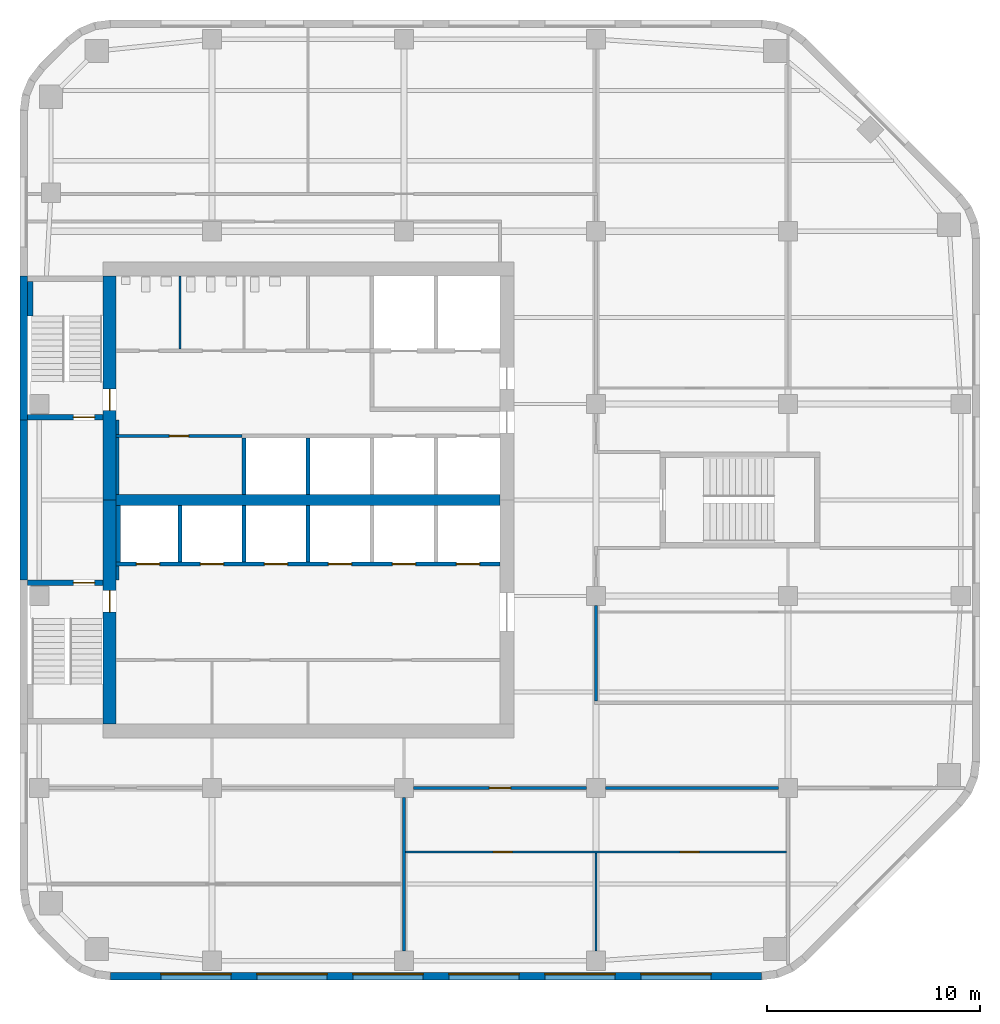
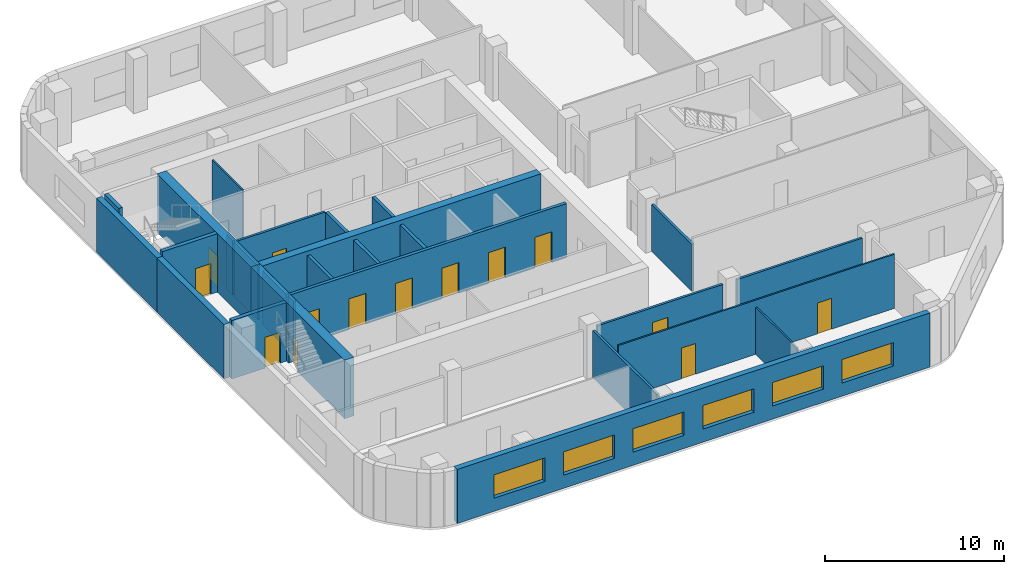
# One storey, part 3 of 8: 27 walls, 14 doors, 6 windows, 20 openings.
"""IFC4 building model written with IfcOpenShell, lengths in metres."""

from ifc_helpers import new_model, si_unit, direction, frame, frame_2d, origin, place, context, subcontext, project, spatial, rectangle, extrude, material, layer, layer_set, type_object, element, fill, save


model = new_model("IFC4")

# Units and contexts
model_context = context("Model", 3, precision=1e-05, world=origin(), true_north=direction((0.0, 1.0)))
body_context = subcontext(model_context, "Body", "Model", "MODEL_VIEW")
ifc_project = project(units=[si_unit("LENGTHUNIT", "METRE"), si_unit("AREAUNIT", "SQUARE_METRE"), si_unit("VOLUMEUNIT", "CUBIC_METRE"), si_unit("PLANEANGLEUNIT", "RADIAN"), si_unit("MASSUNIT", "GRAM", prefix="KILO")], contexts=[model_context])

# Site, building, storey
site_placement = place(None, origin())
site = spatial("IfcSite", under=ifc_project, at=site_placement, CompositionType="ELEMENT")
building_placement = place(site_placement, origin())
building = spatial("IfcBuilding", under=site, at=building_placement, Name="Cinnabar Reach Civic Tower", CompositionType="ELEMENT")
storey_placement = place(building_placement, frame((0.0, 0.0, 189.0)))
storey = spatial("IfcBuildingStorey", under=building, at=storey_placement, Name="L45", CompositionType="ELEMENT", Elevation=189.0)

# Wall, openings, windows
ifc_material_1 = material(Name="Facing brick with insulated backing", Category="masonry")
ifc_layer_1 = layer(ifc_material_1, 0.36)
ifc_layer_set_1 = layer_set([ifc_layer_1], Name="Brick pier and spandrel wall")
wall_type_1 = type_object("IfcWallType", Name="Brick pier and spandrel wall", PredefinedType="STANDARD", material=ifc_layer_set_1)
wall_1_placement = place(storey_placement, frame((4.2426, 9.18, 0.0), z_axis=(0.0, 0.0, 1.0), x_axis=(1.0, 0.0, 0.0)))
wall_1 = element("IfcWall", 1, at=wall_1_placement, inside=storey, type_object=wall_type_1, Name="Brick facade wall", PredefinedType="STANDARD", context=body_context, shape_type="SweptSolid", body=[
    extrude(rectangle(XDim=30.5148, YDim=0.36, at=frame_2d((15.2574, 0.0))), origin(), (0.0, 0.0, 1.0), 3.7),
])
opening_1_placement = place(wall_1_placement, frame((2.3574, 0.0, 0.9)))
opening_1 = element("IfcOpeningElement", 2, at=opening_1_placement, cuts=wall_1, Name="Opening W1921", PredefinedType="OPENING", context=body_context, shape_type="SweptSolid", body=[
    extrude(rectangle(XDim=3.3, YDim=1.6, at=frame_2d((1.65, 0.8))), frame((0.0, 0.19, 0.0), z_axis=(0.0, -1.0, 0.0), x_axis=(1.0, 0.0, 0.0)), (0.0, 0.0, 1.0), 0.38),
])
opening_2_placement = place(wall_1_placement, frame((6.8574, 0.0, 0.9)))
opening_2 = element("IfcOpeningElement", 3, at=opening_2_placement, cuts=wall_1, Name="Opening W1922", PredefinedType="OPENING", context=body_context, shape_type="SweptSolid", body=[
    extrude(rectangle(XDim=3.3, YDim=1.6, at=frame_2d((1.65, 0.8))), frame((0.0, 0.19, 0.0), z_axis=(0.0, -1.0, 0.0), x_axis=(1.0, 0.0, 0.0)), (0.0, 0.0, 1.0), 0.38),
])
opening_3_placement = place(wall_1_placement, frame((11.3574, 0.0, 0.9)))
opening_3 = element("IfcOpeningElement", 4, at=opening_3_placement, cuts=wall_1, Name="Opening W1923", PredefinedType="OPENING", context=body_context, shape_type="SweptSolid", body=[
    extrude(rectangle(XDim=3.3, YDim=1.6, at=frame_2d((1.65, 0.8))), frame((0.0, 0.19, 0.0), z_axis=(0.0, -1.0, 0.0), x_axis=(1.0, 0.0, 0.0)), (0.0, 0.0, 1.0), 0.38),
])
opening_4_placement = place(wall_1_placement, frame((15.8574, 0.0, 0.9)))
opening_4 = element("IfcOpeningElement", 5, at=opening_4_placement, cuts=wall_1, Name="Opening W1924", PredefinedType="OPENING", context=body_context, shape_type="SweptSolid", body=[
    extrude(rectangle(XDim=3.3, YDim=1.6, at=frame_2d((1.65, 0.8))), frame((0.0, 0.19, 0.0), z_axis=(0.0, -1.0, 0.0), x_axis=(1.0, 0.0, 0.0)), (0.0, 0.0, 1.0), 0.38),
])
opening_5_placement = place(wall_1_placement, frame((20.3574, 0.0, 0.9)))
opening_5 = element("IfcOpeningElement", 6, at=opening_5_placement, cuts=wall_1, Name="Opening W1925", PredefinedType="OPENING", context=body_context, shape_type="SweptSolid", body=[
    extrude(rectangle(XDim=3.3, YDim=1.6, at=frame_2d((1.65, 0.8))), frame((0.0, 0.19, 0.0), z_axis=(0.0, -1.0, 0.0), x_axis=(1.0, 0.0, 0.0)), (0.0, 0.0, 1.0), 0.38),
])
opening_6_placement = place(wall_1_placement, frame((24.8574, 0.0, 0.9)))
opening_6 = element("IfcOpeningElement", 7, at=opening_6_placement, cuts=wall_1, Name="Opening W1926", PredefinedType="OPENING", context=body_context, shape_type="SweptSolid", body=[
    extrude(rectangle(XDim=3.3, YDim=1.6, at=frame_2d((1.65, 0.8))), frame((0.0, 0.19, 0.0), z_axis=(0.0, -1.0, 0.0), x_axis=(1.0, 0.0, 0.0)), (0.0, 0.0, 1.0), 0.38),
])
ifc_material_2 = material(Name="Clear double glazing in aluminium frame", Category="aluminium")
window_type = type_object("IfcWindowType", Name="Deep-set window A", PartitioningType="SINGLE_PANEL", PredefinedType="WINDOW", material=ifc_material_2)
window_1_placement = place(opening_1_placement, origin())
window_1 = element("IfcWindow", 8, at=window_1_placement, inside=storey, type_object=window_type, Name="Window south face", OverallHeight=1.6, OverallWidth=3.3, PartitioningType="SINGLE_PANEL", PredefinedType="WINDOW", context=body_context, shape_type="SweptSolid", body=[
    extrude(rectangle(XDim=3.3, YDim=1.6, at=frame_2d((1.65, 0.8))), frame((0.0, 0.13, 0.0), z_axis=(0.0, -1.0, 0.0), x_axis=(1.0, 0.0, 0.0)), (0.0, 0.0, 1.0), 0.06),
])
fill(opening_1, window_1)
window_2_placement = place(opening_2_placement, origin())
window_2 = element("IfcWindow", 9, at=window_2_placement, inside=storey, type_object=window_type, Name="Window south face", OverallHeight=1.6, OverallWidth=3.3, PartitioningType="SINGLE_PANEL", PredefinedType="WINDOW", context=body_context, shape_type="SweptSolid", body=[
    extrude(rectangle(XDim=3.3, YDim=1.6, at=frame_2d((1.65, 0.8))), frame((0.0, 0.13, 0.0), z_axis=(0.0, -1.0, 0.0), x_axis=(1.0, 0.0, 0.0)), (0.0, 0.0, 1.0), 0.06),
])
fill(opening_2, window_2)
window_3_placement = place(opening_3_placement, origin())
window_3 = element("IfcWindow", 10, at=window_3_placement, inside=storey, type_object=window_type, Name="Window south face", OverallHeight=1.6, OverallWidth=3.3, PartitioningType="SINGLE_PANEL", PredefinedType="WINDOW", context=body_context, shape_type="SweptSolid", body=[
    extrude(rectangle(XDim=3.3, YDim=1.6, at=frame_2d((1.65, 0.8))), frame((0.0, 0.13, 0.0), z_axis=(0.0, -1.0, 0.0), x_axis=(1.0, 0.0, 0.0)), (0.0, 0.0, 1.0), 0.06),
])
fill(opening_3, window_3)
window_4_placement = place(opening_4_placement, origin())
window_4 = element("IfcWindow", 11, at=window_4_placement, inside=storey, type_object=window_type, Name="Window south face", OverallHeight=1.6, OverallWidth=3.3, PartitioningType="SINGLE_PANEL", PredefinedType="WINDOW", context=body_context, shape_type="SweptSolid", body=[
    extrude(rectangle(XDim=3.3, YDim=1.6, at=frame_2d((1.65, 0.8))), frame((0.0, 0.13, 0.0), z_axis=(0.0, -1.0, 0.0), x_axis=(1.0, 0.0, 0.0)), (0.0, 0.0, 1.0), 0.06),
])
fill(opening_4, window_4)
window_5_placement = place(opening_5_placement, origin())
window_5 = element("IfcWindow", 12, at=window_5_placement, inside=storey, type_object=window_type, Name="Window south face", OverallHeight=1.6, OverallWidth=3.3, PartitioningType="SINGLE_PANEL", PredefinedType="WINDOW", context=body_context, shape_type="SweptSolid", body=[
    extrude(rectangle(XDim=3.3, YDim=1.6, at=frame_2d((1.65, 0.8))), frame((0.0, 0.13, 0.0), z_axis=(0.0, -1.0, 0.0), x_axis=(1.0, 0.0, 0.0)), (0.0, 0.0, 1.0), 0.06),
])
fill(opening_5, window_5)
window_6_placement = place(opening_6_placement, origin())
window_6 = element("IfcWindow", 13, at=window_6_placement, inside=storey, type_object=window_type, Name="Window south face", OverallHeight=1.6, OverallWidth=3.3, PartitioningType="SINGLE_PANEL", PredefinedType="WINDOW", context=body_context, shape_type="SweptSolid", body=[
    extrude(rectangle(XDim=3.3, YDim=1.6, at=frame_2d((1.65, 0.8))), frame((0.0, 0.13, 0.0), z_axis=(0.0, -1.0, 0.0), x_axis=(1.0, 0.0, 0.0)), (0.0, 0.0, 1.0), 0.06),
])
fill(opening_6, window_6)

# Walls
wall_2_placement = place(storey_placement, frame((0.18, 42.0, 0.0), z_axis=(0.0, 0.0, 1.0), x_axis=(0.0, -1.0, 0.0)))
element("IfcWall", 14, at=wall_2_placement, inside=storey, type_object=wall_type_1, Name="Brick facade wall", PredefinedType="STANDARD", context=body_context, shape_type="SweptSolid", body=[
    extrude(rectangle(XDim=6.75, YDim=0.36, at=frame_2d((3.375, 0.0))), origin(), (0.0, 0.0, 1.0), 3.7),
])
wall_3_placement = place(storey_placement, frame((0.18, 35.25, 0.0), z_axis=(0.0, 0.0, 1.0), x_axis=(0.0, -1.0, 0.0)))
element("IfcWall", 15, at=wall_3_placement, inside=storey, type_object=wall_type_1, Name="Brick facade wall", PredefinedType="STANDARD", context=body_context, shape_type="SweptSolid", body=[
    extrude(rectangle(XDim=7.5, YDim=0.36, at=frame_2d((3.75, 0.0))), origin(), (0.0, 0.0, 1.0), 3.7),
])
ifc_material_3 = material(Name="Concrete C60", Category="concrete")
ifc_layer_2 = layer(ifc_material_3, 0.5)
ifc_layer_set_2 = layer_set([ifc_layer_2], Name="Core wall 500 EI 180")
wall_type_2 = type_object("IfcWallType", Name="Core wall 500 EI 180", PredefinedType="SOLIDWALL", material=ifc_layer_set_2)
wall_4_placement = place(storey_placement, frame((4.5, 31.5, 0.0), z_axis=(0.0, 0.0, 1.0), x_axis=(1.0, 0.0, 0.0)))
element("IfcWall", 16, at=wall_4_placement, inside=storey, type_object=wall_type_2, Name="Core spine wall T1 L45", PredefinedType="SOLIDWALL", context=body_context, shape_type="SweptSolid", body=[
    extrude(rectangle(XDim=18.0, YDim=0.5, at=frame_2d((9.0, 0.0))), origin(), (0.0, 0.0, 1.0), 4.0),
])

# Wall, opening, door
ifc_material_4 = material(Name="Concrete C70", Category="concrete")
ifc_layer_3 = layer(ifc_material_4, 0.6)
ifc_layer_set_3 = layer_set([ifc_layer_3], Name="Core wall 600 EI 180")
wall_type_3 = type_object("IfcWallType", Name="Core wall 600 EI 180", PredefinedType="SOLIDWALL", material=ifc_layer_set_3)
wall_5_placement = place(storey_placement, frame((4.2, 42.0, 0.0), z_axis=(0.0, 0.0, 1.0), x_axis=(0.0, -1.0, 0.0)))
wall_5 = element("IfcWall", 17, at=wall_5_placement, inside=storey, type_object=wall_type_3, Name="Core wall T1 L45 W", PredefinedType="SOLIDWALL", context=body_context, shape_type="SweptSolid", body=[
    extrude(rectangle(XDim=10.5, YDim=0.6, at=frame_2d((5.25, 0.0))), origin(), (0.0, 0.0, 1.0), 4.0),
])
opening_7_placement = place(wall_5_placement, frame((5.3, 0.0, 0.0)))
opening_7 = element("IfcOpeningElement", 18, at=opening_7_placement, cuts=wall_5, Name="Opening D4835", PredefinedType="OPENING", context=body_context, shape_type="SweptSolid", body=[
    extrude(rectangle(XDim=1.0, YDim=2.1, at=frame_2d((0.5, 1.05))), frame((0.0, 0.31, 0.0), z_axis=(0.0, -1.0, 0.0), x_axis=(1.0, 0.0, 0.0)), (0.0, 0.0, 1.0), 0.62),
])
ifc_material_5 = material(Name="Timber door leaf in steel frame", Category="steel")
door_type_1 = type_object("IfcDoorType", Name="Stair door 1000 x 2100 T1", OperationType="SINGLE_SWING_LEFT", PredefinedType="DOOR", material=ifc_material_5)
door_1_placement = place(opening_7_placement, frame((1.0, 0.0, 0.0), z_axis=(0.0, 0.0, 1.0), x_axis=(-1.0, 0.0, 0.0)))
door_1 = element("IfcDoor", 19, at=door_1_placement, inside=storey, type_object=door_type_1, Name="Door D4835", OperationType="SINGLE_SWING_LEFT", OverallHeight=2.1, OverallWidth=1.0, PredefinedType="DOOR", context=body_context, shape_type="SweptSolid", body=[
    extrude(rectangle(XDim=1.0, YDim=2.1, at=frame_2d((0.5, 1.05))), frame((0.0, 0.025, 0.0), z_axis=(0.0, -1.0, 0.0), x_axis=(1.0, 0.0, 0.0)), (0.0, 0.0, 1.0), 0.05),
])
fill(opening_7, door_1)

wall_6_placement = place(storey_placement, frame((4.2, 31.5, 0.0), z_axis=(0.0, 0.0, 1.0), x_axis=(0.0, -1.0, 0.0)))
wall_6 = element("IfcWall", 20, at=wall_6_placement, inside=storey, type_object=wall_type_3, Name="Core wall T1 L45 W2", PredefinedType="SOLIDWALL", context=body_context, shape_type="SweptSolid", body=[
    extrude(rectangle(XDim=10.5, YDim=0.6, at=frame_2d((5.25, 0.0))), origin(), (0.0, 0.0, 1.0), 4.0),
])
opening_8_placement = place(wall_6_placement, frame((4.25, 0.0, 0.0)))
opening_8 = element("IfcOpeningElement", 21, at=opening_8_placement, cuts=wall_6, Name="Opening D4833", PredefinedType="OPENING", context=body_context, shape_type="SweptSolid", body=[
    extrude(rectangle(XDim=1.0, YDim=2.1, at=frame_2d((0.5, 1.05))), frame((0.0, 0.31, 0.0), z_axis=(0.0, -1.0, 0.0), x_axis=(1.0, 0.0, 0.0)), (0.0, 0.0, 1.0), 0.62),
])
door_2_placement = place(opening_8_placement, frame((1.0, 0.0, 0.0), z_axis=(0.0, 0.0, 1.0), x_axis=(-1.0, 0.0, 0.0)))
door_2 = element("IfcDoor", 22, at=door_2_placement, inside=storey, type_object=door_type_1, Name="Door D4833", OperationType="SINGLE_SWING_RIGHT", OverallHeight=2.1, OverallWidth=1.0, PredefinedType="DOOR", context=body_context, shape_type="SweptSolid", body=[
    extrude(rectangle(XDim=1.0, YDim=2.1, at=frame_2d((0.5, 1.05))), frame((0.0, 0.025, 0.0), z_axis=(0.0, -1.0, 0.0), x_axis=(1.0, 0.0, 0.0)), (0.0, 0.0, 1.0), 0.05),
])
fill(opening_8, door_2)

ifc_material_6 = material(Name="Gypsum board on steel studs, double layer", Category="steel")
ifc_layer_4 = layer(ifc_material_6, 0.15)
ifc_layer_set_4 = layer_set([ifc_layer_4], Name="Corridor wall 150 T1")
wall_type_4 = type_object("IfcWallType", Name="Corridor wall 150 T1", PredefinedType="PARTITIONING", material=ifc_layer_set_4)
wall_7_placement = place(storey_placement, frame((18.45, 18.0, 0.0), z_axis=(0.0, 0.0, 1.0), x_axis=(1.0, 0.0, 0.0)))
wall_7 = element("IfcWall", 23, at=wall_7_placement, inside=storey, type_object=wall_type_4, Name="Corridor wall 20", PredefinedType="PARTITIONING", context=body_context, shape_type="SweptSolid", body=[
    extrude(rectangle(XDim=8.1, YDim=0.15, at=frame_2d((4.05, 0.0))), origin(), (0.0, 0.0, 1.0), 3.112),
])
opening_9_placement = place(wall_7_placement, frame((3.55, 0.0, 0.0)))
opening_9 = element("IfcOpeningElement", 24, at=opening_9_placement, cuts=wall_7, Name="Opening D4866", PredefinedType="OPENING", context=body_context, shape_type="SweptSolid", body=[
    extrude(rectangle(XDim=1.0, YDim=2.1, at=frame_2d((0.5, 1.05))), frame((0.0, 0.085, 0.0), z_axis=(0.0, -1.0, 0.0), x_axis=(1.0, 0.0, 0.0)), (0.0, 0.0, 1.0), 0.17),
])
door_type_2 = type_object("IfcDoorType", Name="Tenancy entrance door 1000 x 2100 T1", OperationType="SINGLE_SWING_LEFT", PredefinedType="DOOR", material=ifc_material_5)
door_3_placement = place(opening_9_placement, frame((1.0, 0.0, 0.0), z_axis=(0.0, 0.0, 1.0), x_axis=(-1.0, 0.0, 0.0)))
door_3 = element("IfcDoor", 25, at=door_3_placement, inside=storey, type_object=door_type_2, Name="Door D4866", OperationType="SINGLE_SWING_RIGHT", OverallHeight=2.1, OverallWidth=1.0, PredefinedType="DOOR", context=body_context, shape_type="SweptSolid", body=[
    extrude(rectangle(XDim=1.0, YDim=2.1, at=frame_2d((0.5, 1.05))), frame((0.0, 0.025, 0.0), z_axis=(0.0, -1.0, 0.0), x_axis=(1.0, 0.0, 0.0)), (0.0, 0.0, 1.0), 0.05),
])
fill(opening_9, door_3)

# Walls
wall_8_placement = place(storey_placement, frame((27.45, 18.0, 0.0), z_axis=(0.0, 0.0, 1.0), x_axis=(1.0, 0.0, 0.0)))
element("IfcWall", 26, at=wall_8_placement, inside=storey, type_object=wall_type_4, Name="Corridor wall 21", PredefinedType="PARTITIONING", context=body_context, shape_type="SweptSolid", body=[
    extrude(rectangle(XDim=8.1, YDim=0.15, at=frame_2d((4.05, 0.0))), origin(), (0.0, 0.0, 1.0), 3.112),
])
wall_9_placement = place(storey_placement, frame((27.0, 22.075, 0.0), z_axis=(0.0, 0.0, 1.0), x_axis=(0.0, 1.0, 0.0)))
element("IfcWall", 27, at=wall_9_placement, inside=storey, type_object=wall_type_4, Name="Corridor wall 32", PredefinedType="PARTITIONING", context=body_context, shape_type="SweptSolid", body=[
    extrude(rectangle(XDim=4.475, YDim=0.15, at=frame_2d((2.2375, 0.0))), origin(), (0.0, 0.0, 1.0), 3.212),
])

# Wall, opening, door
wall_10_placement = place(storey_placement, frame((4.5, 34.5, 0.0), z_axis=(0.0, 0.0, 1.0), x_axis=(1.0, 0.0, 0.0)))
wall_10 = element("IfcWall", 28, at=wall_10_placement, inside=storey, type_object=wall_type_4, Name="Corridor wall 34", PredefinedType="PARTITIONING", context=body_context, shape_type="SweptSolid", body=[
    extrude(rectangle(XDim=5.9, YDim=0.15, at=frame_2d((2.95, 0.0))), origin(), (0.0, 0.0, 1.0), 3.7),
])
opening_10_placement = place(wall_10_placement, frame((2.5, 0.0, 0.0)))
opening_10 = element("IfcOpeningElement", 29, at=opening_10_placement, cuts=wall_10, Name="Opening D4854", PredefinedType="OPENING", context=body_context, shape_type="SweptSolid", body=[
    extrude(rectangle(XDim=0.9, YDim=2.1, at=frame_2d((0.45, 1.05))), frame((0.0, 0.085, 0.0), z_axis=(0.0, -1.0, 0.0), x_axis=(1.0, 0.0, 0.0)), (0.0, 0.0, 1.0), 0.17),
])
door_type_3 = type_object("IfcDoorType", Name="Single swing door 900 x 2100 corridor T1", OperationType="SINGLE_SWING_LEFT", PredefinedType="DOOR", material=ifc_material_5)
door_4_placement = place(opening_10_placement, frame((0.9, 0.0, 0.0), z_axis=(0.0, 0.0, 1.0), x_axis=(-1.0, 0.0, 0.0)))
door_4 = element("IfcDoor", 30, at=door_4_placement, inside=storey, type_object=door_type_3, Name="Door D4854", OperationType="SINGLE_SWING_LEFT", OverallHeight=2.1, OverallWidth=0.9, PredefinedType="DOOR", context=body_context, shape_type="SweptSolid", body=[
    extrude(rectangle(XDim=0.9, YDim=2.1, at=frame_2d((0.45, 1.05))), frame((0.0, 0.025, 0.0), z_axis=(0.0, -1.0, 0.0), x_axis=(1.0, 0.0, 0.0)), (0.0, 0.0, 1.0), 0.05),
])
fill(opening_10, door_4)

# Walls
wall_11_placement = place(storey_placement, frame((4.575, 34.575, 0.0), z_axis=(0.0, 0.0, 1.0), x_axis=(0.0, 1.0, 0.0)))
element("IfcWall", 31, at=wall_11_placement, inside=storey, type_object=wall_type_4, Name="Corridor wall 35", PredefinedType="PARTITIONING", context=body_context, shape_type="SweptSolid", body=[
    extrude(rectangle(XDim=0.675, YDim=0.15, at=frame_2d((0.3375, 0.0))), origin(), (0.0, 0.0, 1.0), 3.7),
])
wall_12_placement = place(storey_placement, frame((4.575, 31.75, 0.0), z_axis=(0.0, 0.0, 1.0), x_axis=(0.0, 1.0, 0.0)))
element("IfcWall", 32, at=wall_12_placement, inside=storey, type_object=wall_type_4, Name="Corridor wall 36", PredefinedType="PARTITIONING", context=body_context, shape_type="SweptSolid", body=[
    extrude(rectangle(XDim=2.675, YDim=0.15, at=frame_2d((1.3375, 0.0))), origin(), (0.0, 0.0, 1.0), 3.7),
])
wall_13_placement = place(storey_placement, frame((4.575, 27.75, 0.0), z_axis=(0.0, 0.0, 1.0), x_axis=(0.0, 1.0, 0.0)))
element("IfcWall", 33, at=wall_13_placement, inside=storey, type_object=wall_type_4, Name="Corridor wall 40", PredefinedType="PARTITIONING", context=body_context, shape_type="SweptSolid", body=[
    extrude(rectangle(XDim=0.65, YDim=0.15, at=frame_2d((0.325, 0.0))), origin(), (0.0, 0.0, 1.0), 3.7),
])

# Wall, openings, doors
ifc_material_7 = material(Name="Blockwork", Category="masonry")
ifc_layer_5 = layer(ifc_material_7, 0.2)
ifc_layer_set_5 = layer_set([ifc_layer_5], Name="Lift shaft wall 200 T1")
wall_type_5 = type_object("IfcWallType", Name="Lift shaft wall 200 T1", PredefinedType="PARTITIONING", material=ifc_layer_set_5)
wall_14_placement = place(storey_placement, frame((4.5, 28.5, 0.0), z_axis=(0.0, 0.0, 1.0), x_axis=(1.0, 0.0, 0.0)))
wall_14 = element("IfcWall", 34, at=wall_14_placement, inside=storey, type_object=wall_type_5, Name="Lift shaft wall 4", PredefinedType="PARTITIONING", context=body_context, shape_type="SweptSolid", body=[
    extrude(rectangle(XDim=18.0, YDim=0.2, at=frame_2d((9.0, 0.0))), origin(), (0.0, 0.0, 1.0), 3.7),
])
opening_11_placement = place(wall_14_placement, frame((0.95, 0.0, 0.0)))
opening_11 = element("IfcOpeningElement", 35, at=opening_11_placement, cuts=wall_14, Name="Opening D4837", PredefinedType="OPENING", context=body_context, shape_type="SweptSolid", body=[
    extrude(rectangle(XDim=1.1, YDim=2.1, at=frame_2d((0.55, 1.05))), frame((0.0, 0.11, 0.0), z_axis=(0.0, -1.0, 0.0), x_axis=(1.0, 0.0, 0.0)), (0.0, 0.0, 1.0), 0.22),
])
opening_12_placement = place(wall_14_placement, frame((3.95, 0.0, 0.0)))
opening_12 = element("IfcOpeningElement", 36, at=opening_12_placement, cuts=wall_14, Name="Opening D4838", PredefinedType="OPENING", context=body_context, shape_type="SweptSolid", body=[
    extrude(rectangle(XDim=1.1, YDim=2.1, at=frame_2d((0.55, 1.05))), frame((0.0, 0.11, 0.0), z_axis=(0.0, -1.0, 0.0), x_axis=(1.0, 0.0, 0.0)), (0.0, 0.0, 1.0), 0.22),
])
opening_13_placement = place(wall_14_placement, frame((6.95, 0.0, 0.0)))
opening_13 = element("IfcOpeningElement", 37, at=opening_13_placement, cuts=wall_14, Name="Opening D4839", PredefinedType="OPENING", context=body_context, shape_type="SweptSolid", body=[
    extrude(rectangle(XDim=1.1, YDim=2.1, at=frame_2d((0.55, 1.05))), frame((0.0, 0.11, 0.0), z_axis=(0.0, -1.0, 0.0), x_axis=(1.0, 0.0, 0.0)), (0.0, 0.0, 1.0), 0.22),
])
opening_14_placement = place(wall_14_placement, frame((9.95, 0.0, 0.0)))
opening_14 = element("IfcOpeningElement", 38, at=opening_14_placement, cuts=wall_14, Name="Opening D4840", PredefinedType="OPENING", context=body_context, shape_type="SweptSolid", body=[
    extrude(rectangle(XDim=1.1, YDim=2.1, at=frame_2d((0.55, 1.05))), frame((0.0, 0.11, 0.0), z_axis=(0.0, -1.0, 0.0), x_axis=(1.0, 0.0, 0.0)), (0.0, 0.0, 1.0), 0.22),
])
opening_15_placement = place(wall_14_placement, frame((12.95, 0.0, 0.0)))
opening_15 = element("IfcOpeningElement", 39, at=opening_15_placement, cuts=wall_14, Name="Opening D4841", PredefinedType="OPENING", context=body_context, shape_type="SweptSolid", body=[
    extrude(rectangle(XDim=1.1, YDim=2.1, at=frame_2d((0.55, 1.05))), frame((0.0, 0.11, 0.0), z_axis=(0.0, -1.0, 0.0), x_axis=(1.0, 0.0, 0.0)), (0.0, 0.0, 1.0), 0.22),
])
opening_16_placement = place(wall_14_placement, frame((15.95, 0.0, 0.0)))
opening_16 = element("IfcOpeningElement", 40, at=opening_16_placement, cuts=wall_14, Name="Opening D4842", PredefinedType="OPENING", context=body_context, shape_type="SweptSolid", body=[
    extrude(rectangle(XDim=1.1, YDim=2.1, at=frame_2d((0.55, 1.05))), frame((0.0, 0.11, 0.0), z_axis=(0.0, -1.0, 0.0), x_axis=(1.0, 0.0, 0.0)), (0.0, 0.0, 1.0), 0.22),
])
ifc_material_8 = material(Name="Stainless steel sliding door", Category="steel")
door_type_4 = type_object("IfcDoorType", Name="Lift landing door 1100 x 2100 T1", OperationType="SLIDING_TO_LEFT", PredefinedType="DOOR", material=ifc_material_8)
door_5_placement = place(opening_11_placement, origin())
door_5 = element("IfcDoor", 41, at=door_5_placement, inside=storey, type_object=door_type_4, Name="Lift landing door HR1 L45", OperationType="SLIDING_TO_LEFT", OverallHeight=2.1, OverallWidth=1.1, PredefinedType="DOOR", context=body_context, shape_type="SweptSolid", body=[
    extrude(rectangle(XDim=1.1, YDim=2.1, at=frame_2d((0.55, 1.05))), frame((0.0, 0.025, 0.0), z_axis=(0.0, -1.0, 0.0), x_axis=(1.0, 0.0, 0.0)), (0.0, 0.0, 1.0), 0.05),
])
fill(opening_11, door_5)
door_6_placement = place(opening_12_placement, origin())
door_6 = element("IfcDoor", 42, at=door_6_placement, inside=storey, type_object=door_type_4, Name="Lift landing door HR2 L45", OperationType="SLIDING_TO_LEFT", OverallHeight=2.1, OverallWidth=1.1, PredefinedType="DOOR", context=body_context, shape_type="SweptSolid", body=[
    extrude(rectangle(XDim=1.1, YDim=2.1, at=frame_2d((0.55, 1.05))), frame((0.0, 0.025, 0.0), z_axis=(0.0, -1.0, 0.0), x_axis=(1.0, 0.0, 0.0)), (0.0, 0.0, 1.0), 0.05),
])
fill(opening_12, door_6)
door_7_placement = place(opening_13_placement, origin())
door_7 = element("IfcDoor", 43, at=door_7_placement, inside=storey, type_object=door_type_4, Name="Lift landing door HR3 L45", OperationType="SLIDING_TO_LEFT", OverallHeight=2.1, OverallWidth=1.1, PredefinedType="DOOR", context=body_context, shape_type="SweptSolid", body=[
    extrude(rectangle(XDim=1.1, YDim=2.1, at=frame_2d((0.55, 1.05))), frame((0.0, 0.025, 0.0), z_axis=(0.0, -1.0, 0.0), x_axis=(1.0, 0.0, 0.0)), (0.0, 0.0, 1.0), 0.05),
])
fill(opening_13, door_7)
door_8_placement = place(opening_14_placement, origin())
door_8 = element("IfcDoor", 44, at=door_8_placement, inside=storey, type_object=door_type_4, Name="Lift landing door HR4 L45", OperationType="SLIDING_TO_LEFT", OverallHeight=2.1, OverallWidth=1.1, PredefinedType="DOOR", context=body_context, shape_type="SweptSolid", body=[
    extrude(rectangle(XDim=1.1, YDim=2.1, at=frame_2d((0.55, 1.05))), frame((0.0, 0.025, 0.0), z_axis=(0.0, -1.0, 0.0), x_axis=(1.0, 0.0, 0.0)), (0.0, 0.0, 1.0), 0.05),
])
fill(opening_14, door_8)
door_9_placement = place(opening_15_placement, origin())
door_9 = element("IfcDoor", 45, at=door_9_placement, inside=storey, type_object=door_type_4, Name="Lift landing door HR5 L45", OperationType="SLIDING_TO_LEFT", OverallHeight=2.1, OverallWidth=1.1, PredefinedType="DOOR", context=body_context, shape_type="SweptSolid", body=[
    extrude(rectangle(XDim=1.1, YDim=2.1, at=frame_2d((0.55, 1.05))), frame((0.0, 0.025, 0.0), z_axis=(0.0, -1.0, 0.0), x_axis=(1.0, 0.0, 0.0)), (0.0, 0.0, 1.0), 0.05),
])
fill(opening_15, door_9)
door_10_placement = place(opening_16_placement, origin())
door_10 = element("IfcDoor", 46, at=door_10_placement, inside=storey, type_object=door_type_4, Name="Lift landing door HR6 L45", OperationType="SLIDING_TO_LEFT", OverallHeight=2.1, OverallWidth=1.1, PredefinedType="DOOR", context=body_context, shape_type="SweptSolid", body=[
    extrude(rectangle(XDim=1.1, YDim=2.1, at=frame_2d((0.55, 1.05))), frame((0.0, 0.025, 0.0), z_axis=(0.0, -1.0, 0.0), x_axis=(1.0, 0.0, 0.0)), (0.0, 0.0, 1.0), 0.05),
])
fill(opening_16, door_10)

# Walls
for number, where, z_axis, x_axis, name in (
    (47, (10.5, 28.6, 0.0), (0.0, 0.0, 1.0), (0.0, 1.0, 0.0), "Lift shaft wall 6"),
    (48, (10.5, 31.75, 0.0), (0.0, 0.0, 1.0), (0.0, 1.0, 0.0), "Lift shaft wall 7"),
    (49, (13.5, 28.6, 0.0), (0.0, 0.0, 1.0), (0.0, 1.0, 0.0), "Lift shaft wall 8"),
    (50, (13.5, 31.75, 0.0), (0.0, 0.0, 1.0), (0.0, 1.0, 0.0), "Lift shaft wall 9"),
    (51, (4.6, 28.6, 0.0), (0.0, 0.0, 1.0), (0.0, 1.0, 0.0), "Lift shaft wall 16"),
    (52, (7.5, 28.6, 0.0), (0.0, 0.0, 1.0), (0.0, 1.0, 0.0), "Lift shaft wall 17"),
):
    element("IfcWall", number, at=place(storey_placement, frame(where, z_axis=z_axis, x_axis=x_axis)), inside=storey, type_object=wall_type_5, Name=name, PredefinedType="PARTITIONING", context=body_context, shape_type="SweptSolid", body=[
        extrude(rectangle(XDim=2.65, YDim=0.2, at=frame_2d((1.325, 0.0))), origin(), (0.0, 0.0, 1.0), 3.7),
    ])

# Wall, openings, doors
ifc_material_9 = material(Name="Gypsum board on steel studs", Category="steel")
ifc_layer_6 = layer(ifc_material_9, 0.1)
ifc_layer_set_6 = layer_set([ifc_layer_6], Name="Partition wall 100 T1")
wall_type_6 = type_object("IfcWallType", Name="Partition wall 100 T1", PredefinedType="PARTITIONING", material=ifc_layer_set_6)
wall_15_placement = place(storey_placement, frame((18.075, 15.0, 0.0), z_axis=(0.0, 0.0, 1.0), x_axis=(1.0, 0.0, 0.0)))
wall_15 = element("IfcWall", 53, at=wall_15_placement, inside=storey, type_object=wall_type_6, Name="Partition wall 45", PredefinedType="PARTITIONING", context=body_context, shape_type="SweptSolid", body=[
    extrude(rectangle(XDim=17.85, YDim=0.1, at=frame_2d((8.925, 0.0))), origin(), (0.0, 0.0, 1.0), 3.7),
])
opening_17_placement = place(wall_15_placement, frame((4.1, 0.0, 0.0)))
opening_17 = element("IfcOpeningElement", 54, at=opening_17_placement, cuts=wall_15, Name="Opening D4867", PredefinedType="OPENING", context=body_context, shape_type="SweptSolid", body=[
    extrude(rectangle(XDim=0.9, YDim=2.1, at=frame_2d((0.45, 1.05))), frame((0.0, 0.06, 0.0), z_axis=(0.0, -1.0, 0.0), x_axis=(1.0, 0.0, 0.0)), (0.0, 0.0, 1.0), 0.12),
])
opening_18_placement = place(wall_15_placement, frame((12.875, 0.0, 0.0)))
opening_18 = element("IfcOpeningElement", 55, at=opening_18_placement, cuts=wall_15, Name="Opening D4868", PredefinedType="OPENING", context=body_context, shape_type="SweptSolid", body=[
    extrude(rectangle(XDim=0.9, YDim=2.1, at=frame_2d((0.45, 1.05))), frame((0.0, 0.06, 0.0), z_axis=(0.0, -1.0, 0.0), x_axis=(1.0, 0.0, 0.0)), (0.0, 0.0, 1.0), 0.12),
])
door_type_5 = type_object("IfcDoorType", Name="Single swing door 900 x 2100 T1", OperationType="SINGLE_SWING_LEFT", PredefinedType="DOOR", material=ifc_material_5)
door_11_placement = place(opening_17_placement, frame((0.9, 0.0, 0.0), z_axis=(0.0, 0.0, 1.0), x_axis=(-1.0, 0.0, 0.0)))
door_11 = element("IfcDoor", 56, at=door_11_placement, inside=storey, type_object=door_type_5, Name="Door D4867", OperationType="SINGLE_SWING_RIGHT", OverallHeight=2.1, OverallWidth=0.9, PredefinedType="DOOR", context=body_context, shape_type="SweptSolid", body=[
    extrude(rectangle(XDim=0.9, YDim=2.1, at=frame_2d((0.45, 1.05))), frame((0.0, 0.025, 0.0), z_axis=(0.0, -1.0, 0.0), x_axis=(1.0, 0.0, 0.0)), (0.0, 0.0, 1.0), 0.05),
])
fill(opening_17, door_11)
door_12_placement = place(opening_18_placement, frame((0.9, 0.0, 0.0), z_axis=(0.0, 0.0, 1.0), x_axis=(-1.0, 0.0, 0.0)))
door_12 = element("IfcDoor", 57, at=door_12_placement, inside=storey, type_object=door_type_5, Name="Door D4868", OperationType="SINGLE_SWING_LEFT", OverallHeight=2.1, OverallWidth=0.9, PredefinedType="DOOR", context=body_context, shape_type="SweptSolid", body=[
    extrude(rectangle(XDim=0.9, YDim=2.1, at=frame_2d((0.45, 1.05))), frame((0.0, 0.025, 0.0), z_axis=(0.0, -1.0, 0.0), x_axis=(1.0, 0.0, 0.0)), (0.0, 0.0, 1.0), 0.05),
])
fill(opening_18, door_12)

# Walls
wall_16_placement = place(storey_placement, frame((27.0, 10.35, 0.0), z_axis=(0.0, 0.0, 1.0), x_axis=(0.0, 1.0, 0.0)))
element("IfcWall", 58, at=wall_16_placement, inside=storey, type_object=wall_type_6, Name="Partition wall 53", PredefinedType="PARTITIONING", context=body_context, shape_type="SweptSolid", body=[
    extrude(rectangle(XDim=4.6, YDim=0.1, at=frame_2d((2.3, 0.0))), origin(), (0.0, 0.0, 1.0), 3.212),
])
wall_17_placement = place(storey_placement, frame((7.5, 38.575, 0.0), z_axis=(0.0, 0.0, 1.0), x_axis=(0.0, 1.0, 0.0)))
element("IfcWall", 59, at=wall_17_placement, inside=storey, type_object=wall_type_6, Name="Partition wall 54", PredefinedType="PARTITIONING", context=body_context, shape_type="SweptSolid", body=[
    extrude(rectangle(XDim=3.425, YDim=0.1, at=frame_2d((1.7125, 0.0))), origin(), (0.0, 0.0, 1.0), 3.7),
])

# Wall, opening, door
ifc_layer_7 = layer(ifc_material_3, 0.25)
ifc_layer_set_7 = layer_set([ifc_layer_7], Name="Stair shaft wall 250 EI 120")
wall_type_7 = type_object("IfcWallType", Name="Stair shaft wall 250 EI 120", PredefinedType="SOLIDWALL", material=ifc_layer_set_7)
wall_18_placement = place(storey_placement, frame((3.9, 27.625, 0.0), z_axis=(0.0, 0.0, 1.0), x_axis=(-1.0, 0.0, 0.0)))
wall_18 = element("IfcWall", 60, at=wall_18_placement, inside=storey, type_object=wall_type_7, Name="Stair shaft wall T1-S1 L45", PredefinedType="SOLIDWALL", context=body_context, shape_type="SweptSolid", body=[
    extrude(rectangle(XDim=3.54, YDim=0.25, at=frame_2d((1.77, 0.0))), origin(), (0.0, 0.0, 1.0), 4.0),
])
opening_19_placement = place(wall_18_placement, frame((0.4, 0.0, 0.0)))
opening_19 = element("IfcOpeningElement", 61, at=opening_19_placement, cuts=wall_18, Name="Opening D4834", PredefinedType="OPENING", context=body_context, shape_type="SweptSolid", body=[
    extrude(rectangle(XDim=1.0, YDim=2.1, at=frame_2d((0.5, 1.05))), frame((0.0, 0.135, 0.0), z_axis=(0.0, -1.0, 0.0), x_axis=(1.0, 0.0, 0.0)), (0.0, 0.0, 1.0), 0.27),
])
door_13_placement = place(opening_19_placement, origin())
door_13 = element("IfcDoor", 62, at=door_13_placement, inside=storey, type_object=door_type_1, Name="Door D4834", OperationType="SINGLE_SWING_LEFT", OverallHeight=2.1, OverallWidth=1.0, PredefinedType="DOOR", context=body_context, shape_type="SweptSolid", body=[
    extrude(rectangle(XDim=1.0, YDim=2.1, at=frame_2d((0.5, 1.05))), frame((0.0, 0.025, 0.0), z_axis=(0.0, -1.0, 0.0), x_axis=(1.0, 0.0, 0.0)), (0.0, 0.0, 1.0), 0.05),
])
fill(opening_19, door_13)

wall_19_placement = place(storey_placement, frame((0.36, 35.375, 0.0), z_axis=(0.0, 0.0, 1.0), x_axis=(1.0, 0.0, 0.0)))
wall_19 = element("IfcWall", 63, at=wall_19_placement, inside=storey, type_object=wall_type_7, Name="Stair shaft wall T1-S2 L45", PredefinedType="SOLIDWALL", context=body_context, shape_type="SweptSolid", body=[
    extrude(rectangle(XDim=3.54, YDim=0.25, at=frame_2d((1.77, 0.0))), origin(), (0.0, 0.0, 1.0), 4.0),
])
opening_20_placement = place(wall_19_placement, frame((2.14, 0.0, 0.0)))
opening_20 = element("IfcOpeningElement", 64, at=opening_20_placement, cuts=wall_19, Name="Opening D4836", PredefinedType="OPENING", context=body_context, shape_type="SweptSolid", body=[
    extrude(rectangle(XDim=1.0, YDim=2.1, at=frame_2d((0.5, 1.05))), frame((0.0, 0.135, 0.0), z_axis=(0.0, -1.0, 0.0), x_axis=(1.0, 0.0, 0.0)), (0.0, 0.0, 1.0), 0.27),
])
door_14_placement = place(opening_20_placement, origin())
door_14 = element("IfcDoor", 65, at=door_14_placement, inside=storey, type_object=door_type_1, Name="Door D4836", OperationType="SINGLE_SWING_RIGHT", OverallHeight=2.1, OverallWidth=1.0, PredefinedType="DOOR", context=body_context, shape_type="SweptSolid", body=[
    extrude(rectangle(XDim=1.0, YDim=2.1, at=frame_2d((0.5, 1.05))), frame((0.0, 0.025, 0.0), z_axis=(0.0, -1.0, 0.0), x_axis=(1.0, 0.0, 0.0)), (0.0, 0.0, 1.0), 0.05),
])
fill(opening_20, door_14)

# Walls
ifc_material_10 = material(Name="Concrete C40/50", Category="concrete")
ifc_layer_8 = layer(ifc_material_10, 0.24)
ifc_layer_set_8 = layer_set([ifc_layer_8], Name="T1 landing bearer wall 240")
wall_type_8 = type_object("IfcWallType", Name="T1 landing bearer wall 240", PredefinedType="STANDARD", material=ifc_layer_set_8)
wall_20_placement = place(storey_placement, frame((0.48, 40.13, 0.0), z_axis=(0.0, 0.0, 1.0), x_axis=(0.0, 1.0, 0.0)))
element("IfcWall", 66, at=wall_20_placement, inside=storey, type_object=wall_type_8, Name="T1-S2 landing bearer wall", PredefinedType="STANDARD", context=body_context, shape_type="SweptSolid", body=[
    extrude(rectangle(XDim=1.62, YDim=0.24, at=frame_2d((0.81, 0.0))), origin(), (0.0, 0.0, 1.0), 4.0),
])
ifc_layer_9 = layer(ifc_material_6, 0.15)
ifc_layer_set_9 = layer_set([ifc_layer_9], Name="Tenancy separating wall 150 T1")
wall_type_9 = type_object("IfcWallType", Name="Tenancy separating wall 150 T1", PredefinedType="PARTITIONING", material=ifc_layer_set_9)
wall_21_placement = place(storey_placement, frame((18.0, 10.35, 0.0), z_axis=(0.0, 0.0, 1.0), x_axis=(0.0, 1.0, 0.0)))
element("IfcWall", 67, at=wall_21_placement, inside=storey, type_object=wall_type_9, Name="Tenancy separating wall 42", PredefinedType="PARTITIONING", context=body_context, shape_type="SweptSolid", body=[
    extrude(rectangle(XDim=7.2, YDim=0.15, at=frame_2d((3.6, 0.0))), origin(), (0.0, 0.0, 1.0), 3.212),
])

save(model, "model.ifc")
